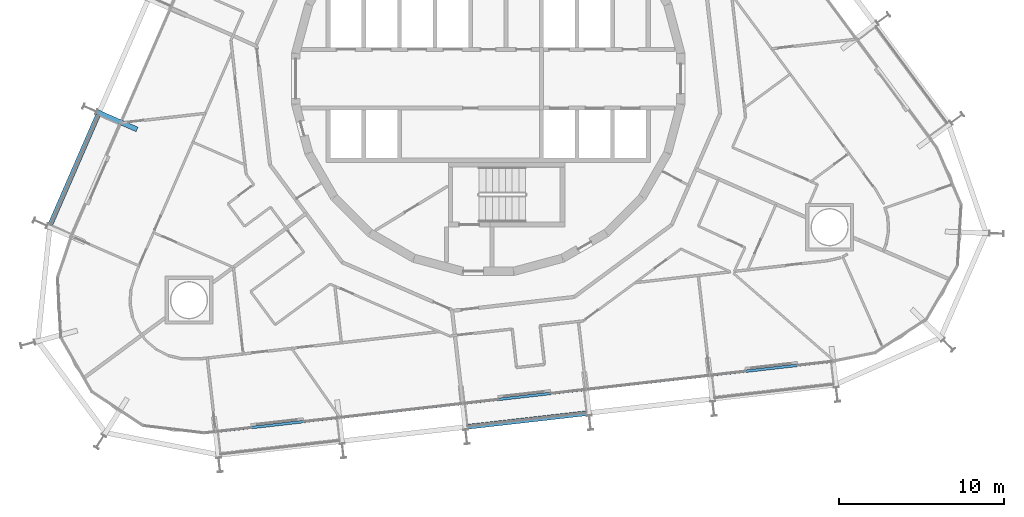
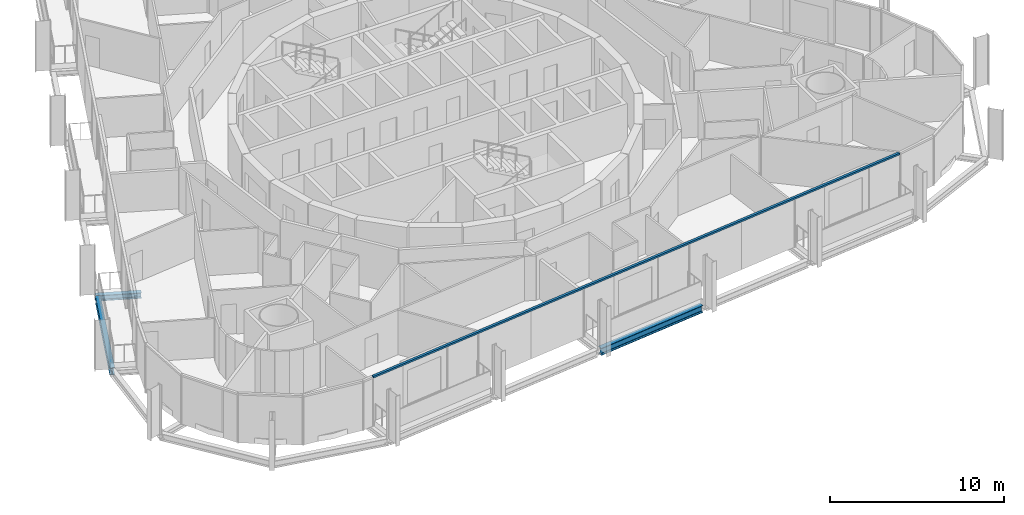
# One storey, part 4 of 24: 3 beams, 1 member, 1 element without a shape of its own.
"""IFC4 building model written with IfcOpenShell, lengths in metres."""

from ifc_helpers import new_model, si_unit, direction, frame, origin, origin_2d, place, context, subcontext, project, spatial, rectangle, i_section, extrude, material, layer, layer_set, material_profile, profile_set, type_object, element, aggregate, save


model = new_model("IFC4")

# Units and contexts
model_context = context("Model", 3, precision=1e-05, world=origin(), true_north=direction((0.0, 1.0)))
body_context = subcontext(model_context, "Body", "Model", "MODEL_VIEW")
ifc_project = project(units=[si_unit("LENGTHUNIT", "METRE"), si_unit("AREAUNIT", "SQUARE_METRE"), si_unit("VOLUMEUNIT", "CUBIC_METRE"), si_unit("PLANEANGLEUNIT", "RADIAN"), si_unit("MASSUNIT", "GRAM", prefix="KILO")], contexts=[model_context])

# Site, building, storey
site_placement = place(None, origin())
site = spatial("IfcSite", under=ifc_project, at=site_placement, CompositionType="ELEMENT")
building_placement = place(site_placement, origin())
building = spatial("IfcBuilding", under=site, at=building_placement, Name="Spindle Arch Residences", CompositionType="ELEMENT")
storey_placement = place(building_placement, frame((0.0, 0.0, 101.199951171875)))
storey = spatial("IfcBuildingStorey", under=building, at=storey_placement, Name="L24", CompositionType="ELEMENT", Elevation=101.199951171875)

# Curtain wall, member
ifc_material_1 = material(Name="Aluminium bronze unitised frame with tinted glass", Category="aluminium")
ifc_layer = layer(ifc_material_1, 0.159912109375)
ifc_layer_set = layer_set([ifc_layer], Name="CW-C typical residential unitised wall")
curtain_wall_type = type_object("IfcCurtainWallType", Name="CW-C typical residential unitised wall", PredefinedType="NOTDEFINED", material=ifc_layer_set)
curtain_wall_placement = place(storey_placement, origin())
curtain_wall = element("IfcCurtainWall", 1, at=curtain_wall_placement, inside=storey, type_object=curtain_wall_type, Name="CW-C L24 run 6", PredefinedType="NOTDEFINED")
ifc_material_2 = material(Name="Aluminium bronze anodised transom", Category="aluminium")
ifc_material_profile_1 = material_profile(ifc_material_2, rectangle(XDim=0.159912109375, YDim=0.1201171875, at=origin_2d()), Name="TR 120x160")
ifc_profile_set_1 = profile_set([ifc_material_profile_1], Name="Aluminium bronze anodised transom")
member_type = type_object("IfcMemberType", Name="Bronze transom 120x160", PredefinedType="USERDEFINED", material=ifc_profile_set_1)
member_placement = place(storey_placement, frame((-16.457275390625, -21.337646484375, 3.06005859375), z_axis=(0.993571693336, 0.1132046386, 0.0), x_axis=(-0.1132046386, 0.993571693336, 0.0)))
member = element("IfcMember", 2, at=member_placement, type_object=member_type, Name="CW-C transom 00", ObjectType="TRANSOM", PredefinedType="USERDEFINED", context=body_context, shape_type="SweptSolid", body=[
    extrude(rectangle(XDim=0.159912109375, YDim=0.1201171875, at=origin_2d()), origin(), (0.0, 0.0, 1.0), 37.533935546875),
])
aggregate(curtain_wall, [member])

# Beams
ifc_material_3 = material(Name="Steel S460ML, intumescent coating R 120", Category="steel")
ifc_material_profile_2 = material_profile(ifc_material_3, i_section(OverallWidth=0.300048828125, OverallDepth=0.5, WebThickness=0.014404296875, FlangeThickness=0.028076171875, FilletRadius=0.027099609375, at=origin_2d()), Name="HEB 500")
ifc_profile_set_2 = profile_set([ifc_material_profile_2], Name="Steel S460ML, intumescent coating R 120")
beam_type_1 = type_object("IfcBeamType", Name="Exoskeleton edge beam HEB 500", PredefinedType="BEAM", material=ifc_profile_set_2)
beam_1_placement = place(storey_placement, frame((-23.5966796875, -2.1796875, -0.6298828125), z_axis=(-0.398760546857, -0.917055083553, 0.0), x_axis=(0.917055083553, -0.398760546857, 0.0)))
element("IfcBeam", 3, at=beam_1_placement, inside=storey, type_object=beam_type_1, Name="Exoskeleton edge beam 18", PredefinedType="BEAM", context=body_context, shape_type="SweptSolid", body=[
    extrude(i_section(OverallWidth=0.300048828125, OverallDepth=0.5, WebThickness=0.014404296875, FlangeThickness=0.028076171875, FilletRadius=0.027099609375, at=origin_2d()), origin(), (0.0, 0.0, 1.0), 7.2587890625),
])
beam_2_placement = place(storey_placement, frame((-1.2548828125, -21.0478515625, -0.6298828125), z_axis=(0.993575205863, 0.113173805691, 0.0), x_axis=(-0.113173805691, 0.993575205863, 0.0)))
element("IfcBeam", 4, at=beam_2_placement, inside=storey, type_object=beam_type_1, Name="Exoskeleton edge beam 24", PredefinedType="BEAM", context=body_context, shape_type="SweptSolid", body=[
    extrude(i_section(OverallWidth=0.300048828125, OverallDepth=0.5, WebThickness=0.014404296875, FlangeThickness=0.028076171875, FilletRadius=0.027099609375, at=origin_2d()), origin(), (0.0, 0.0, 1.0), 7.259033203125),
])
ifc_material_4 = material(Name="Steel S460ML, intumescent coating R 120", Category="steel")
ifc_material_profile_3 = material_profile(ifc_material_4, i_section(OverallWidth=0.300048828125, OverallDepth=0.389892578125, WebThickness=0.010986328125, FlangeThickness=0.01904296875, FilletRadius=0.027099609375, at=origin_2d()), Name="HEA 400")
ifc_profile_set_3 = profile_set([ifc_material_profile_3], Name="Steel S460ML, intumescent coating R 120")
beam_type_2 = type_object("IfcBeamType", Name="Floor outrigger HEA 400", PredefinedType="BEAM", material=ifc_profile_set_3)
beam_3_placement = place(storey_placement, frame((-23.670654296875, -2.005859375, -0.574951171875), z_axis=(0.917064197317, -0.398739586698, 0.0), x_axis=(0.398739586698, 0.917064197317, 0.0)))
element("IfcBeam", 5, at=beam_3_placement, inside=storey, type_object=beam_type_2, Name="Floor outrigger 18", PredefinedType="BEAM", context=body_context, shape_type="SweptSolid", body=[
    extrude(i_section(OverallWidth=0.300048828125, OverallDepth=0.389892578125, WebThickness=0.010986328125, FlangeThickness=0.01904296875, FilletRadius=0.027099609375, at=origin_2d()), origin(), (0.0, 0.0, 1.0), 2.64990234375),
])

save(model, "model.ifc")
